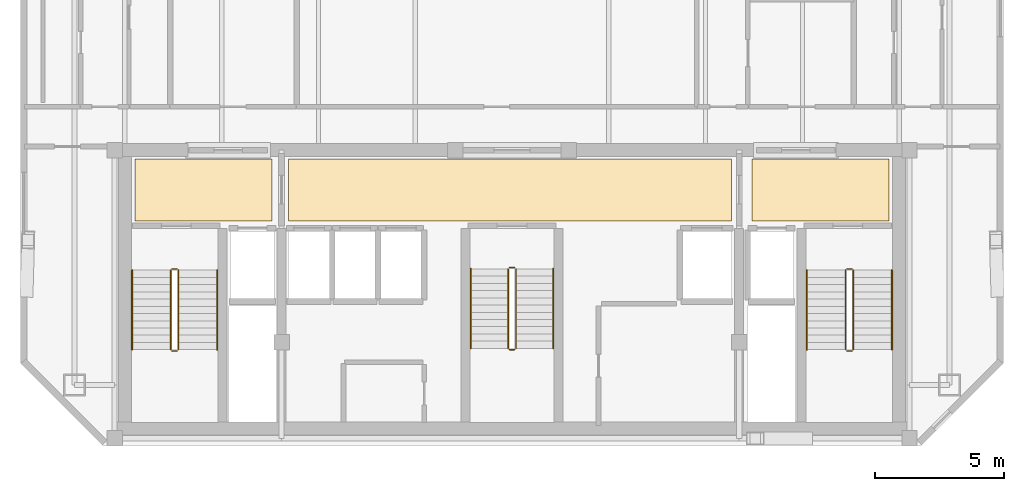
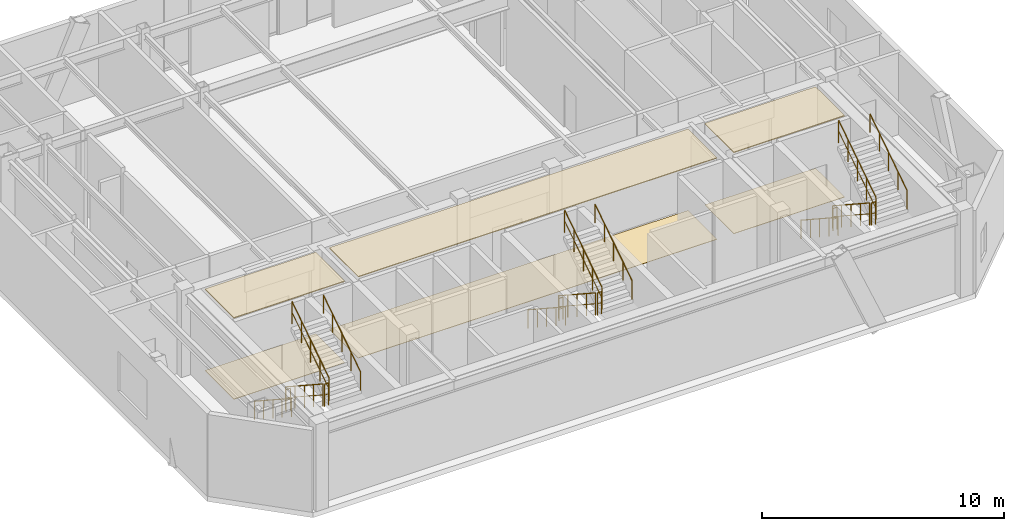
# One storey, part 10 of 10: 18 railings, 6 coverings.
"""IFC4 building model written with IfcOpenShell, lengths in metres."""

from ifc_helpers import new_model, si_unit, direction, frame, origin, origin_2d, place, context, subcontext, project, spatial, polyline, circle, outline, extrude, material, layer, layer_set, type_object, element, save


model = new_model("IFC4")

# Units and contexts
model_context = context("Model", 3, precision=1e-05, world=origin(), true_north=direction((0.0, 1.0)))
body_context = subcontext(model_context, "Body", "Model", "MODEL_VIEW")
ifc_project = project(units=[si_unit("LENGTHUNIT", "METRE"), si_unit("AREAUNIT", "SQUARE_METRE"), si_unit("VOLUMEUNIT", "CUBIC_METRE"), si_unit("PLANEANGLEUNIT", "RADIAN"), si_unit("MASSUNIT", "GRAM", prefix="KILO")], contexts=[model_context])

# Site, building, storey
site_placement = place(None, origin())
site = spatial("IfcSite", under=ifc_project, at=site_placement, CompositionType="ELEMENT")
building_placement = place(site_placement, origin())
building = spatial("IfcBuilding", under=site, at=building_placement, Name="Ventersveld Concourse Tower", CompositionType="ELEMENT")
storey_placement = place(building_placement, frame((0.0, 0.0, 357.85009765625)))
storey = spatial("IfcBuildingStorey", under=building, at=storey_placement, Name="L88", CompositionType="ELEMENT", Elevation=357.85009765625)

# Coverings
ifc_material_1 = material(Name="Mineral-fibre acoustic ceiling tile", Category="gypsum")
ifc_layer_1 = layer(ifc_material_1, 0.0400390625)
ifc_layer_set_1 = layer_set([ifc_layer_1], Name="Mineral-fibre acoustic ceiling tile")
covering_type_1 = type_object("IfcCoveringType", Name="COV-CEIL-ACOUSTIC", PredefinedType="CEILING", material=ifc_layer_set_1)
covering_1_placement = place(storey_placement, frame((0.0, 0.0, 4.099853515625)))
element("IfcCovering", 1, at=covering_1_placement, inside=storey, type_object=covering_type_1, Name="L88 North Lift Lobby Acoustic Ceiling", PredefinedType="CEILING", context=body_context, shape_type="SweptSolid", body=[
    extrude(outline(polyline([(20.10009765625, 8.699951171875), (37.25, 8.699951171875), (37.25, 11.10009765625), (20.10009765625, 11.10009765625), (20.10009765625, 8.699951171875)])), origin(), (0.0, 0.0, 1.0), 0.0400390625),
])
covering_2_placement = place(storey_placement, frame((0.0, 0.0, 4.099853515625)))
element("IfcCovering", 2, at=covering_2_placement, inside=storey, type_object=covering_type_1, Name="L88 West Firefighting Lobby Acoustic Ceiling", PredefinedType="CEILING", context=body_context, shape_type="SweptSolid", body=[
    extrude(outline(polyline([(14.14990234375, 8.699951171875), (19.449951171875, 8.699951171875), (19.449951171875, 11.10009765625), (14.14990234375, 11.10009765625), (14.14990234375, 8.699951171875)])), origin(), (0.0, 0.0, 1.0), 0.0400390625),
])
covering_3_placement = place(storey_placement, frame((0.0, 0.0, 4.099853515625)))
element("IfcCovering", 3, at=covering_3_placement, inside=storey, type_object=covering_type_1, Name="L88 East Firefighting Lobby Acoustic Ceiling", PredefinedType="CEILING", context=body_context, shape_type="SweptSolid", body=[
    extrude(outline(polyline([(38.050048828125, 8.699951171875), (43.35009765625, 8.699951171875), (43.35009765625, 11.10009765625), (38.050048828125, 11.10009765625), (38.050048828125, 8.699951171875)])), origin(), (0.0, 0.0, 1.0), 0.0400390625),
])
ifc_material_2 = material(Name="Polished Highveld granite terrazzo", Category="masonry")
ifc_layer_2 = layer(ifc_material_2, 0.02001953125)
ifc_layer_set_2 = layer_set([ifc_layer_2], Name="Polished Highveld granite terrazzo")
covering_type_2 = type_object("IfcCoveringType", Name="COV-FLOOR-TERRAZZO", PredefinedType="FLOORING", material=ifc_layer_set_2)
covering_4_placement = place(storey_placement, origin())
element("IfcCovering", 4, at=covering_4_placement, inside=storey, type_object=covering_type_2, Name="L88 North Lift Lobby Terrazzo Flooring", PredefinedType="FLOORING", context=body_context, shape_type="SweptSolid", body=[
    extrude(outline(polyline([(20.10009765625, 8.699951171875), (37.25, 8.699951171875), (37.25, 11.10009765625), (20.10009765625, 11.10009765625), (20.10009765625, 8.699951171875)])), origin(), (0.0, 0.0, 1.0), 0.02001953125),
])
covering_5_placement = place(storey_placement, origin())
element("IfcCovering", 5, at=covering_5_placement, inside=storey, type_object=covering_type_2, Name="L88 West Firefighting Lobby Terrazzo Flooring", PredefinedType="FLOORING", context=body_context, shape_type="SweptSolid", body=[
    extrude(outline(polyline([(14.14990234375, 8.699951171875), (19.449951171875, 8.699951171875), (19.449951171875, 11.10009765625), (14.14990234375, 11.10009765625), (14.14990234375, 8.699951171875)])), origin(), (0.0, 0.0, 1.0), 0.02001953125),
])
covering_6_placement = place(storey_placement, origin())
element("IfcCovering", 6, at=covering_6_placement, inside=storey, type_object=covering_type_2, Name="L88 East Firefighting Lobby Terrazzo Flooring", PredefinedType="FLOORING", context=body_context, shape_type="SweptSolid", body=[
    extrude(outline(polyline([(38.050048828125, 8.699951171875), (43.35009765625, 8.699951171875), (43.35009765625, 11.10009765625), (38.050048828125, 11.10009765625), (38.050048828125, 8.699951171875)])), origin(), (0.0, 0.0, 1.0), 0.02001953125),
])

# Railings
ifc_material_3 = material(Name="Brushed stainless steel 316", Category="steel")
railing_type_1 = type_object("IfcRailingType", Name="GD-BAL-115", PredefinedType="GUARDRAIL", material=ifc_material_3)
railing_1_placement = place(storey_placement, frame((15.530029296875, 6.800048828125, 0.183349609375)))
element("IfcRailing", 7, at=railing_1_placement, inside=storey, type_object=railing_type_1, Name="L88 ST-01 stair guard 1", PredefinedType="GUARDRAIL", context=body_context, shape_type="SweptSolid", body=[
    extrude(circle(Radius=0.02392578125, at=origin_2d()), frame((0.0, 0.0, 1.1259765625), z_axis=(0.0, -0.836633000464, 0.547763838287), x_axis=(1.0, 0.0, 0.0)), (0.0, 0.0, 1.0), 3.681396484375),
    extrude(circle(Radius=0.01611328125, at=origin_2d()), frame((0.0, 0.0, 0.574951171875), z_axis=(0.0, -0.836633000464, 0.547763838287), x_axis=(1.0, 0.0, 0.0)), (0.0, 0.0, 1.0), 3.681396484375),
    extrude(circle(Radius=0.02099609375, at=origin_2d()), origin(), (0.0, 0.0, 1.0), 1.101806640625),
    extrude(circle(Radius=0.02099609375, at=origin_2d()), frame((0.0, -0.77001953125, 0.504150390625)), (0.0, 0.0, 1.0), 1.101806640625),
    extrude(circle(Radius=0.02099609375, at=origin_2d()), frame((0.0, -1.5400390625, 1.00830078125)), (0.0, 0.0, 1.0), 1.101806640625),
    extrude(circle(Radius=0.02099609375, at=origin_2d()), frame((0.0, -2.31005859375, 1.512451171875)), (0.0, 0.0, 1.0), 1.101806640625),
    extrude(circle(Radius=0.02099609375, at=origin_2d()), frame((0.0, -3.080078125, 2.0166015625)), (0.0, 0.0, 1.0), 1.101806640625),
])
railing_2_placement = place(storey_placement, frame((15.580078125, 3.669921875, 2.199951171875)))
element("IfcRailing", 8, at=railing_2_placement, inside=storey, type_object=railing_type_1, Name="L88 ST-01 stair guard 2", PredefinedType="GUARDRAIL", context=body_context, shape_type="SweptSolid", body=[
    extrude(circle(Radius=0.02392578125, at=origin_2d()), frame((0.0, 0.0, 1.1259765625), z_axis=(1.0, 0.0, 0.0), x_axis=(0.0, 1.0, 0.0)), (0.0, 0.0, 1.0), 0.199951171875),
    extrude(circle(Radius=0.01611328125, at=origin_2d()), frame((0.0, 0.0, 0.574951171875), z_axis=(1.0, 0.0, 0.0), x_axis=(0.0, 1.0, 0.0)), (0.0, 0.0, 1.0), 0.199951171875),
    extrude(circle(Radius=0.02099609375, at=origin_2d()), origin(), (0.0, 0.0, 1.0), 1.101806640625),
    extrude(circle(Radius=0.02099609375, at=origin_2d()), frame((0.199951171875, 0.0, 0.0)), (0.0, 0.0, 1.0), 1.101806640625),
])
railing_3_placement = place(storey_placement, frame((15.830078125, 3.719970703125, 2.38330078125)))
element("IfcRailing", 9, at=railing_3_placement, inside=storey, type_object=railing_type_1, Name="L88 ST-01 stair guard 3", PredefinedType="GUARDRAIL", context=body_context, shape_type="SweptSolid", body=[
    extrude(circle(Radius=0.02392578125, at=origin_2d()), frame((0.0, 0.0, 1.1259765625), z_axis=(0.0, 0.836633000464, 0.547763838287), x_axis=(-1.0, 0.0, 0.0)), (0.0, 0.0, 1.0), 3.681396484375),
    extrude(circle(Radius=0.01611328125, at=origin_2d()), frame((0.0, 0.0, 0.574951171875), z_axis=(0.0, 0.836633000464, 0.547763838287), x_axis=(-1.0, 0.0, 0.0)), (0.0, 0.0, 1.0), 3.681396484375),
    extrude(circle(Radius=0.02099609375, at=origin_2d()), origin(), (0.0, 0.0, 1.0), 1.101806640625),
    extrude(circle(Radius=0.02099609375, at=origin_2d()), frame((0.0, 0.77001953125, 0.504150390625)), (0.0, 0.0, 1.0), 1.101806640625),
    extrude(circle(Radius=0.02099609375, at=origin_2d()), frame((0.0, 1.5400390625, 1.00830078125)), (0.0, 0.0, 1.0), 1.101806640625),
    extrude(circle(Radius=0.02099609375, at=origin_2d()), frame((0.0, 2.31005859375, 1.512451171875)), (0.0, 0.0, 1.0), 1.101806640625),
    extrude(circle(Radius=0.02099609375, at=origin_2d()), frame((0.0, 3.080078125, 2.0166015625)), (0.0, 0.0, 1.0), 1.101806640625),
])
railing_4_placement = place(storey_placement, frame((15.580078125, 6.85009765625, 0.0)))
element("IfcRailing", 10, at=railing_4_placement, inside=storey, type_object=railing_type_1, Name="L88 ST-01 stair guard 4", PredefinedType="GUARDRAIL", context=body_context, shape_type="SweptSolid", body=[
    extrude(circle(Radius=0.02392578125, at=origin_2d()), frame((0.0, 0.0, 1.1259765625), z_axis=(1.0, 0.0, 0.0), x_axis=(0.0, 1.0, 0.0)), (0.0, 0.0, 1.0), 0.199951171875),
    extrude(circle(Radius=0.01611328125, at=origin_2d()), frame((0.0, 0.0, 0.574951171875), z_axis=(1.0, 0.0, 0.0), x_axis=(0.0, 1.0, 0.0)), (0.0, 0.0, 1.0), 0.199951171875),
    extrude(circle(Radius=0.02099609375, at=origin_2d()), origin(), (0.0, 0.0, 1.0), 1.101806640625),
    extrude(circle(Radius=0.02099609375, at=origin_2d()), frame((0.199951171875, 0.0, 0.0)), (0.0, 0.0, 1.0), 1.101806640625),
])
railing_5_placement = place(storey_placement, frame((41.669921875, 6.800048828125, 0.183349609375)))
element("IfcRailing", 11, at=railing_5_placement, inside=storey, type_object=railing_type_1, Name="L88 ST-02 stair guard 1", PredefinedType="GUARDRAIL", context=body_context, shape_type="SweptSolid", body=[
    extrude(circle(Radius=0.02392578125, at=origin_2d()), frame((0.0, 0.0, 1.1259765625), z_axis=(0.0, -0.836633000464, 0.547763838287), x_axis=(1.0, 0.0, 0.0)), (0.0, 0.0, 1.0), 3.681396484375),
    extrude(circle(Radius=0.01611328125, at=origin_2d()), frame((0.0, 0.0, 0.574951171875), z_axis=(0.0, -0.836633000464, 0.547763838287), x_axis=(1.0, 0.0, 0.0)), (0.0, 0.0, 1.0), 3.681396484375),
    extrude(circle(Radius=0.02099609375, at=origin_2d()), origin(), (0.0, 0.0, 1.0), 1.101806640625),
    extrude(circle(Radius=0.02099609375, at=origin_2d()), frame((0.0, -0.77001953125, 0.504150390625)), (0.0, 0.0, 1.0), 1.101806640625),
    extrude(circle(Radius=0.02099609375, at=origin_2d()), frame((0.0, -1.5400390625, 1.00830078125)), (0.0, 0.0, 1.0), 1.101806640625),
    extrude(circle(Radius=0.02099609375, at=origin_2d()), frame((0.0, -2.31005859375, 1.512451171875)), (0.0, 0.0, 1.0), 1.101806640625),
    extrude(circle(Radius=0.02099609375, at=origin_2d()), frame((0.0, -3.080078125, 2.0166015625)), (0.0, 0.0, 1.0), 1.101806640625),
])
railing_6_placement = place(storey_placement, frame((41.719970703125, 3.669921875, 2.199951171875)))
element("IfcRailing", 12, at=railing_6_placement, inside=storey, type_object=railing_type_1, Name="L88 ST-02 stair guard 2", PredefinedType="GUARDRAIL", context=body_context, shape_type="SweptSolid", body=[
    extrude(circle(Radius=0.02392578125, at=origin_2d()), frame((0.0, 0.0, 1.1259765625), z_axis=(1.0, 0.0, 0.0), x_axis=(0.0, 1.0, 0.0)), (0.0, 0.0, 1.0), 0.199951171875),
    extrude(circle(Radius=0.01611328125, at=origin_2d()), frame((0.0, 0.0, 0.574951171875), z_axis=(1.0, 0.0, 0.0), x_axis=(0.0, 1.0, 0.0)), (0.0, 0.0, 1.0), 0.199951171875),
    extrude(circle(Radius=0.02099609375, at=origin_2d()), origin(), (0.0, 0.0, 1.0), 1.101806640625),
    extrude(circle(Radius=0.02099609375, at=origin_2d()), frame((0.199951171875, 0.0, 0.0)), (0.0, 0.0, 1.0), 1.101806640625),
])
railing_7_placement = place(storey_placement, frame((41.969970703125, 3.719970703125, 2.38330078125)))
element("IfcRailing", 13, at=railing_7_placement, inside=storey, type_object=railing_type_1, Name="L88 ST-02 stair guard 3", PredefinedType="GUARDRAIL", context=body_context, shape_type="SweptSolid", body=[
    extrude(circle(Radius=0.02392578125, at=origin_2d()), frame((0.0, 0.0, 1.1259765625), z_axis=(0.0, 0.836633000464, 0.547763838287), x_axis=(-1.0, 0.0, 0.0)), (0.0, 0.0, 1.0), 3.681396484375),
    extrude(circle(Radius=0.01611328125, at=origin_2d()), frame((0.0, 0.0, 0.574951171875), z_axis=(0.0, 0.836633000464, 0.547763838287), x_axis=(-1.0, 0.0, 0.0)), (0.0, 0.0, 1.0), 3.681396484375),
    extrude(circle(Radius=0.02099609375, at=origin_2d()), origin(), (0.0, 0.0, 1.0), 1.101806640625),
    extrude(circle(Radius=0.02099609375, at=origin_2d()), frame((0.0, 0.77001953125, 0.504150390625)), (0.0, 0.0, 1.0), 1.101806640625),
    extrude(circle(Radius=0.02099609375, at=origin_2d()), frame((0.0, 1.5400390625, 1.00830078125)), (0.0, 0.0, 1.0), 1.101806640625),
    extrude(circle(Radius=0.02099609375, at=origin_2d()), frame((0.0, 2.31005859375, 1.512451171875)), (0.0, 0.0, 1.0), 1.101806640625),
    extrude(circle(Radius=0.02099609375, at=origin_2d()), frame((0.0, 3.080078125, 2.0166015625)), (0.0, 0.0, 1.0), 1.101806640625),
])
railing_8_placement = place(storey_placement, frame((41.719970703125, 6.85009765625, 0.0)))
element("IfcRailing", 14, at=railing_8_placement, inside=storey, type_object=railing_type_1, Name="L88 ST-02 stair guard 4", PredefinedType="GUARDRAIL", context=body_context, shape_type="SweptSolid", body=[
    extrude(circle(Radius=0.02392578125, at=origin_2d()), frame((0.0, 0.0, 1.1259765625), z_axis=(1.0, 0.0, 0.0), x_axis=(0.0, 1.0, 0.0)), (0.0, 0.0, 1.0), 0.199951171875),
    extrude(circle(Radius=0.01611328125, at=origin_2d()), frame((0.0, 0.0, 0.574951171875), z_axis=(1.0, 0.0, 0.0), x_axis=(0.0, 1.0, 0.0)), (0.0, 0.0, 1.0), 0.199951171875),
    extrude(circle(Radius=0.02099609375, at=origin_2d()), origin(), (0.0, 0.0, 1.0), 1.101806640625),
    extrude(circle(Radius=0.02099609375, at=origin_2d()), frame((0.199951171875, 0.0, 0.0)), (0.0, 0.0, 1.0), 1.101806640625),
])
railing_9_placement = place(storey_placement, frame((28.60009765625, 6.85009765625, 0.183349609375)))
element("IfcRailing", 15, at=railing_9_placement, inside=storey, type_object=railing_type_1, Name="L88 ST-03 stair guard 1", PredefinedType="GUARDRAIL", context=body_context, shape_type="SweptSolid", body=[
    extrude(circle(Radius=0.02392578125, at=origin_2d()), frame((0.0, 0.0, 1.1259765625), z_axis=(0.0, -0.836633000464, 0.547763838287), x_axis=(1.0, 0.0, 0.0)), (0.0, 0.0, 1.0), 3.681396484375),
    extrude(circle(Radius=0.01611328125, at=origin_2d()), frame((0.0, 0.0, 0.574951171875), z_axis=(0.0, -0.836633000464, 0.547763838287), x_axis=(1.0, 0.0, 0.0)), (0.0, 0.0, 1.0), 3.681396484375),
    extrude(circle(Radius=0.02099609375, at=origin_2d()), origin(), (0.0, 0.0, 1.0), 1.101806640625),
    extrude(circle(Radius=0.02099609375, at=origin_2d()), frame((0.0, -0.77001953125, 0.504150390625)), (0.0, 0.0, 1.0), 1.101806640625),
    extrude(circle(Radius=0.02099609375, at=origin_2d()), frame((0.0, -1.5400390625, 1.00830078125)), (0.0, 0.0, 1.0), 1.101806640625),
    extrude(circle(Radius=0.02099609375, at=origin_2d()), frame((0.0, -2.31005859375, 1.512451171875)), (0.0, 0.0, 1.0), 1.101806640625),
    extrude(circle(Radius=0.02099609375, at=origin_2d()), frame((0.0, -3.080078125, 2.0166015625)), (0.0, 0.0, 1.0), 1.101806640625),
])
railing_10_placement = place(storey_placement, frame((28.64990234375, 3.719970703125, 2.199951171875)))
element("IfcRailing", 16, at=railing_10_placement, inside=storey, type_object=railing_type_1, Name="L88 ST-03 stair guard 2", PredefinedType="GUARDRAIL", context=body_context, shape_type="SweptSolid", body=[
    extrude(circle(Radius=0.02392578125, at=origin_2d()), frame((0.0, 0.0, 1.1259765625), z_axis=(1.0, 0.0, 0.0), x_axis=(0.0, 1.0, 0.0)), (0.0, 0.0, 1.0), 0.2001953125),
    extrude(circle(Radius=0.01611328125, at=origin_2d()), frame((0.0, 0.0, 0.574951171875), z_axis=(1.0, 0.0, 0.0), x_axis=(0.0, 1.0, 0.0)), (0.0, 0.0, 1.0), 0.2001953125),
    extrude(circle(Radius=0.02099609375, at=origin_2d()), origin(), (0.0, 0.0, 1.0), 1.101806640625),
    extrude(circle(Radius=0.02099609375, at=origin_2d()), frame((0.2001953125, 0.0, 0.0)), (0.0, 0.0, 1.0), 1.101806640625),
])
railing_11_placement = place(storey_placement, frame((28.89990234375, 3.77001953125, 2.38330078125)))
element("IfcRailing", 17, at=railing_11_placement, inside=storey, type_object=railing_type_1, Name="L88 ST-03 stair guard 3", PredefinedType="GUARDRAIL", context=body_context, shape_type="SweptSolid", body=[
    extrude(circle(Radius=0.02392578125, at=origin_2d()), frame((0.0, 0.0, 1.1259765625), z_axis=(0.0, 0.836633000464, 0.547763838287), x_axis=(-1.0, 0.0, 0.0)), (0.0, 0.0, 1.0), 3.681396484375),
    extrude(circle(Radius=0.01611328125, at=origin_2d()), frame((0.0, 0.0, 0.574951171875), z_axis=(0.0, 0.836633000464, 0.547763838287), x_axis=(-1.0, 0.0, 0.0)), (0.0, 0.0, 1.0), 3.681396484375),
    extrude(circle(Radius=0.02099609375, at=origin_2d()), origin(), (0.0, 0.0, 1.0), 1.101806640625),
    extrude(circle(Radius=0.02099609375, at=origin_2d()), frame((0.0, 0.77001953125, 0.504150390625)), (0.0, 0.0, 1.0), 1.101806640625),
    extrude(circle(Radius=0.02099609375, at=origin_2d()), frame((0.0, 1.5400390625, 1.00830078125)), (0.0, 0.0, 1.0), 1.101806640625),
    extrude(circle(Radius=0.02099609375, at=origin_2d()), frame((0.0, 2.31005859375, 1.512451171875)), (0.0, 0.0, 1.0), 1.101806640625),
    extrude(circle(Radius=0.02099609375, at=origin_2d()), frame((0.0, 3.080078125, 2.0166015625)), (0.0, 0.0, 1.0), 1.101806640625),
])
railing_12_placement = place(storey_placement, frame((28.64990234375, 6.89990234375, 0.0)))
element("IfcRailing", 18, at=railing_12_placement, inside=storey, type_object=railing_type_1, Name="L88 ST-03 stair guard 4", PredefinedType="GUARDRAIL", context=body_context, shape_type="SweptSolid", body=[
    extrude(circle(Radius=0.02392578125, at=origin_2d()), frame((0.0, 0.0, 1.1259765625), z_axis=(1.0, 0.0, 0.0), x_axis=(0.0, 1.0, 0.0)), (0.0, 0.0, 1.0), 0.2001953125),
    extrude(circle(Radius=0.01611328125, at=origin_2d()), frame((0.0, 0.0, 0.574951171875), z_axis=(1.0, 0.0, 0.0), x_axis=(0.0, 1.0, 0.0)), (0.0, 0.0, 1.0), 0.2001953125),
    extrude(circle(Radius=0.02099609375, at=origin_2d()), origin(), (0.0, 0.0, 1.0), 1.101806640625),
    extrude(circle(Radius=0.02099609375, at=origin_2d()), frame((0.2001953125, 0.0, 0.0)), (0.0, 0.0, 1.0), 1.101806640625),
])
railing_type_2 = type_object("IfcRailingType", Name="HR-RMP-095", PredefinedType="HANDRAIL", material=ifc_material_3)
railing_13_placement = place(storey_placement, frame((14.030029296875, 6.800048828125, 0.183349609375)))
element("IfcRailing", 19, at=railing_13_placement, inside=storey, type_object=railing_type_2, Name="L88 ST-01 stair handrail 1", PredefinedType="HANDRAIL", context=body_context, shape_type="SweptSolid", body=[
    extrude(circle(Radius=0.02392578125, at=origin_2d()), frame((0.0, 0.0, 0.92578125), z_axis=(0.0, -0.836633000464, 0.547763838287), x_axis=(1.0, 0.0, 0.0)), (0.0, 0.0, 1.0), 3.681396484375),
    extrude(circle(Radius=0.02099609375, at=origin_2d()), origin(), (0.0, 0.0, 1.0), 0.90185546875),
    extrude(circle(Radius=0.02099609375, at=origin_2d()), frame((0.0, -0.77001953125, 0.504150390625)), (0.0, 0.0, 1.0), 0.90185546875),
    extrude(circle(Radius=0.02099609375, at=origin_2d()), frame((0.0, -1.5400390625, 1.00830078125)), (0.0, 0.0, 1.0), 0.90185546875),
    extrude(circle(Radius=0.02099609375, at=origin_2d()), frame((0.0, -2.31005859375, 1.512451171875)), (0.0, 0.0, 1.0), 0.90185546875),
    extrude(circle(Radius=0.02099609375, at=origin_2d()), frame((0.0, -3.080078125, 2.0166015625)), (0.0, 0.0, 1.0), 0.90185546875),
])
railing_14_placement = place(storey_placement, frame((17.330078125, 3.719970703125, 2.38330078125)))
element("IfcRailing", 20, at=railing_14_placement, inside=storey, type_object=railing_type_2, Name="L88 ST-01 stair handrail 2", PredefinedType="HANDRAIL", context=body_context, shape_type="SweptSolid", body=[
    extrude(circle(Radius=0.02392578125, at=origin_2d()), frame((0.0, 0.0, 0.92578125), z_axis=(0.0, 0.836633000464, 0.547763838287), x_axis=(-1.0, 0.0, 0.0)), (0.0, 0.0, 1.0), 3.681396484375),
    extrude(circle(Radius=0.02099609375, at=origin_2d()), origin(), (0.0, 0.0, 1.0), 0.90185546875),
    extrude(circle(Radius=0.02099609375, at=origin_2d()), frame((0.0, 0.77001953125, 0.504150390625)), (0.0, 0.0, 1.0), 0.90185546875),
    extrude(circle(Radius=0.02099609375, at=origin_2d()), frame((0.0, 1.5400390625, 1.00830078125)), (0.0, 0.0, 1.0), 0.90185546875),
    extrude(circle(Radius=0.02099609375, at=origin_2d()), frame((0.0, 2.31005859375, 1.512451171875)), (0.0, 0.0, 1.0), 0.90185546875),
    extrude(circle(Radius=0.02099609375, at=origin_2d()), frame((0.0, 3.080078125, 2.0166015625)), (0.0, 0.0, 1.0), 0.90185546875),
])
railing_15_placement = place(storey_placement, frame((40.169921875, 6.800048828125, 0.183349609375)))
element("IfcRailing", 21, at=railing_15_placement, inside=storey, type_object=railing_type_2, Name="L88 ST-02 stair handrail 1", PredefinedType="HANDRAIL", context=body_context, shape_type="SweptSolid", body=[
    extrude(circle(Radius=0.02392578125, at=origin_2d()), frame((0.0, 0.0, 0.92578125), z_axis=(0.0, -0.836633000464, 0.547763838287), x_axis=(1.0, 0.0, 0.0)), (0.0, 0.0, 1.0), 3.681396484375),
    extrude(circle(Radius=0.02099609375, at=origin_2d()), origin(), (0.0, 0.0, 1.0), 0.90185546875),
    extrude(circle(Radius=0.02099609375, at=origin_2d()), frame((0.0, -0.77001953125, 0.504150390625)), (0.0, 0.0, 1.0), 0.90185546875),
    extrude(circle(Radius=0.02099609375, at=origin_2d()), frame((0.0, -1.5400390625, 1.00830078125)), (0.0, 0.0, 1.0), 0.90185546875),
    extrude(circle(Radius=0.02099609375, at=origin_2d()), frame((0.0, -2.31005859375, 1.512451171875)), (0.0, 0.0, 1.0), 0.90185546875),
    extrude(circle(Radius=0.02099609375, at=origin_2d()), frame((0.0, -3.080078125, 2.0166015625)), (0.0, 0.0, 1.0), 0.90185546875),
])
railing_16_placement = place(storey_placement, frame((43.469970703125, 3.719970703125, 2.38330078125)))
element("IfcRailing", 22, at=railing_16_placement, inside=storey, type_object=railing_type_2, Name="L88 ST-02 stair handrail 2", PredefinedType="HANDRAIL", context=body_context, shape_type="SweptSolid", body=[
    extrude(circle(Radius=0.02392578125, at=origin_2d()), frame((0.0, 0.0, 0.92578125), z_axis=(0.0, 0.836633000464, 0.547763838287), x_axis=(-1.0, 0.0, 0.0)), (0.0, 0.0, 1.0), 3.681396484375),
    extrude(circle(Radius=0.02099609375, at=origin_2d()), origin(), (0.0, 0.0, 1.0), 0.90185546875),
    extrude(circle(Radius=0.02099609375, at=origin_2d()), frame((0.0, 0.77001953125, 0.504150390625)), (0.0, 0.0, 1.0), 0.90185546875),
    extrude(circle(Radius=0.02099609375, at=origin_2d()), frame((0.0, 1.5400390625, 1.00830078125)), (0.0, 0.0, 1.0), 0.90185546875),
    extrude(circle(Radius=0.02099609375, at=origin_2d()), frame((0.0, 2.31005859375, 1.512451171875)), (0.0, 0.0, 1.0), 0.90185546875),
    extrude(circle(Radius=0.02099609375, at=origin_2d()), frame((0.0, 3.080078125, 2.0166015625)), (0.0, 0.0, 1.0), 0.90185546875),
])
railing_17_placement = place(storey_placement, frame((27.14990234375, 6.85009765625, 0.183349609375)))
element("IfcRailing", 23, at=railing_17_placement, inside=storey, type_object=railing_type_2, Name="L88 ST-03 stair handrail 1", PredefinedType="HANDRAIL", context=body_context, shape_type="SweptSolid", body=[
    extrude(circle(Radius=0.02392578125, at=origin_2d()), frame((0.0, 0.0, 0.92578125), z_axis=(0.0, -0.836633000464, 0.547763838287), x_axis=(1.0, 0.0, 0.0)), (0.0, 0.0, 1.0), 3.681396484375),
    extrude(circle(Radius=0.02099609375, at=origin_2d()), origin(), (0.0, 0.0, 1.0), 0.90185546875),
    extrude(circle(Radius=0.02099609375, at=origin_2d()), frame((0.0, -0.77001953125, 0.504150390625)), (0.0, 0.0, 1.0), 0.90185546875),
    extrude(circle(Radius=0.02099609375, at=origin_2d()), frame((0.0, -1.5400390625, 1.00830078125)), (0.0, 0.0, 1.0), 0.90185546875),
    extrude(circle(Radius=0.02099609375, at=origin_2d()), frame((0.0, -2.31005859375, 1.512451171875)), (0.0, 0.0, 1.0), 0.90185546875),
    extrude(circle(Radius=0.02099609375, at=origin_2d()), frame((0.0, -3.080078125, 2.0166015625)), (0.0, 0.0, 1.0), 0.90185546875),
])
railing_18_placement = place(storey_placement, frame((30.35009765625, 3.77001953125, 2.38330078125)))
element("IfcRailing", 24, at=railing_18_placement, inside=storey, type_object=railing_type_2, Name="L88 ST-03 stair handrail 2", PredefinedType="HANDRAIL", context=body_context, shape_type="SweptSolid", body=[
    extrude(circle(Radius=0.02392578125, at=origin_2d()), frame((0.0, 0.0, 0.92578125), z_axis=(0.0, 0.836633000464, 0.547763838287), x_axis=(-1.0, 0.0, 0.0)), (0.0, 0.0, 1.0), 3.681396484375),
    extrude(circle(Radius=0.02099609375, at=origin_2d()), origin(), (0.0, 0.0, 1.0), 0.90185546875),
    extrude(circle(Radius=0.02099609375, at=origin_2d()), frame((0.0, 0.77001953125, 0.504150390625)), (0.0, 0.0, 1.0), 0.90185546875),
    extrude(circle(Radius=0.02099609375, at=origin_2d()), frame((0.0, 1.5400390625, 1.00830078125)), (0.0, 0.0, 1.0), 0.90185546875),
    extrude(circle(Radius=0.02099609375, at=origin_2d()), frame((0.0, 2.31005859375, 1.512451171875)), (0.0, 0.0, 1.0), 0.90185546875),
    extrude(circle(Radius=0.02099609375, at=origin_2d()), frame((0.0, 3.080078125, 2.0166015625)), (0.0, 0.0, 1.0), 0.90185546875),
])

save(model, "model.ifc")
